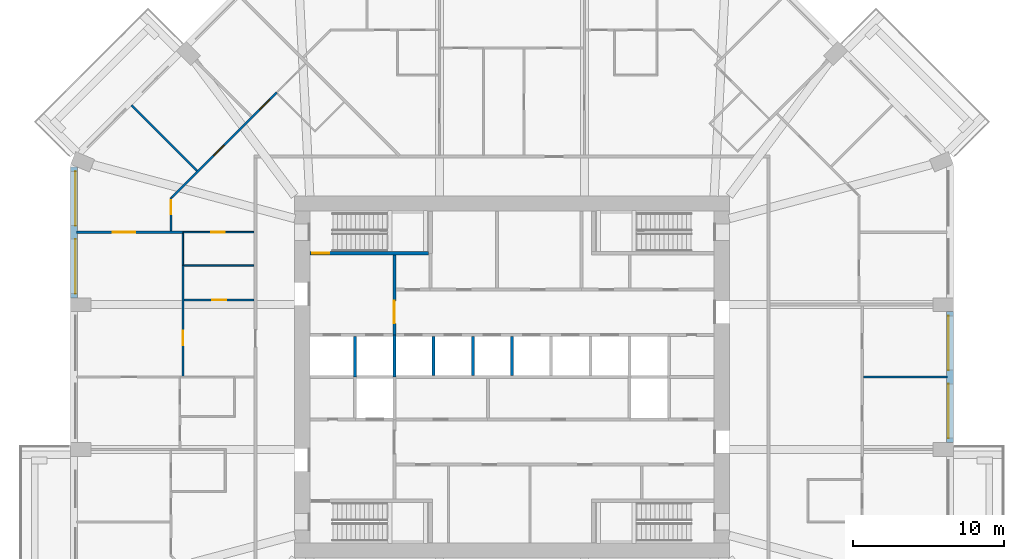
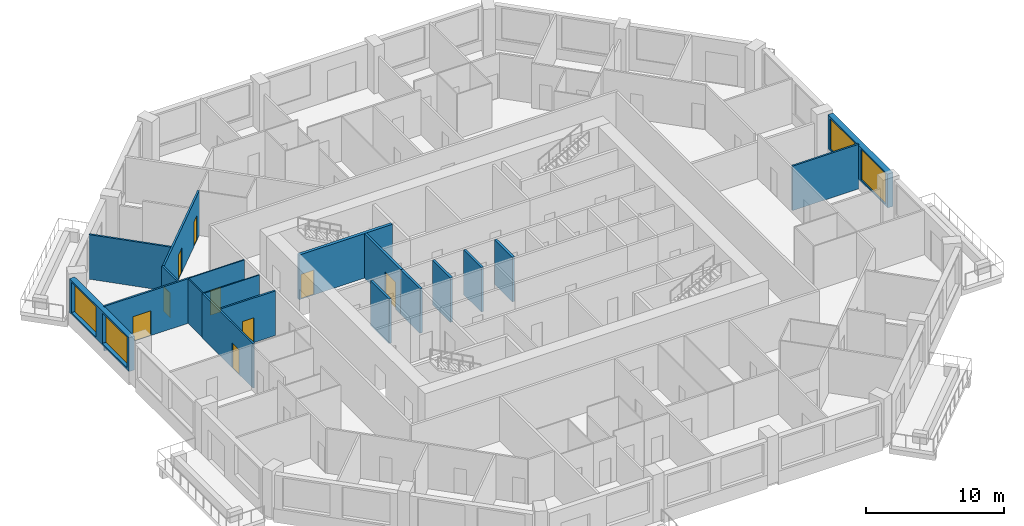
# One storey, part 7 of 13: 19 walls, 9 doors, 4 windows, 13 openings.
"""IFC4 building model written with IfcOpenShell, lengths in metres."""

from ifc_helpers import new_model, si_unit, direction, frame, frame_2d, origin, place, context, subcontext, project, spatial, rectangle, extrude, material, layer, layer_set, type_object, element, fill, save


model = new_model("IFC4")

# Units and contexts
model_context = context("Model", 3, precision=1e-05, world=origin(), true_north=direction((0.0, 1.0)))
body_context = subcontext(model_context, "Body", "Model", "MODEL_VIEW")
ifc_project = project(units=[si_unit("LENGTHUNIT", "METRE"), si_unit("AREAUNIT", "SQUARE_METRE"), si_unit("VOLUMEUNIT", "CUBIC_METRE"), si_unit("PLANEANGLEUNIT", "RADIAN"), si_unit("MASSUNIT", "GRAM", prefix="KILO")], contexts=[model_context])

# Site, building, storey
site_placement = place(None, origin())
site = spatial("IfcSite", under=ifc_project, at=site_placement, CompositionType="ELEMENT")
building_placement = place(site_placement, origin())
building = spatial("IfcBuilding", under=site, at=building_placement, Name="Msitu Wima Residences", CompositionType="ELEMENT")
storey_placement = place(building_placement, frame((0.0, 0.0, 80.10009765625)))
storey = spatial("IfcBuildingStorey", under=building, at=storey_placement, Name="L18", CompositionType="ELEMENT", Elevation=80.10009765625)

# Wall, openings, windows
ifc_material_1 = material(Name="Brick (red buff mix)", Category="masonry")
ifc_layer_1 = layer(ifc_material_1, 0.449951171875)
ifc_layer_set_1 = layer_set([ifc_layer_1], Name="Brick (red buff mix)")
wall_type_1 = type_object("IfcWallType", Name="Brick infill wall BW450", PredefinedType="SOLIDWALL", material=ifc_layer_set_1)
wall_1_placement = place(storey_placement, frame((29.02490234375, -4.35009765625, 0.89990234375), z_axis=(0.0, 0.0, 1.0), x_axis=(0.0, 1.0, 0.0)))
wall_1 = element("IfcWall", 1, at=wall_1_placement, inside=storey, type_object=wall_type_1, Name="Brick infill wall L18 E1", PredefinedType="SOLIDWALL", context=body_context, shape_type="SweptSolid", body=[
    extrude(rectangle(XDim=8.7001953125, YDim=0.449951171875, at=frame_2d((4.35009765625, 0.0))), origin(), (0.0, 0.0, 1.0), 3.0),
])
opening_1_placement = place(wall_1_placement, frame((0.300048828125, 0.0, 0.14990234375)))
opening_1 = element("IfcOpeningElement", 2, at=opening_1_placement, cuts=wall_1, Name="Opening W18-20.002", PredefinedType="OPENING", context=body_context, shape_type="SweptSolid", body=[
    extrude(rectangle(XDim=3.60009765625, YDim=2.699951171875, at=frame_2d((1.800048828125, 1.35009765625))), frame((0.0, 0.23486328125, 0.0), z_axis=(0.0, -1.0, 0.0), x_axis=(1.0, 0.0, 0.0)), (0.0, 0.0, 1.0), 0.469970703125),
])
opening_2_placement = place(wall_1_placement, frame((4.800048828125, 0.0, 0.14990234375)))
opening_2 = element("IfcOpeningElement", 3, at=opening_2_placement, cuts=wall_1, Name="Opening W18-20.003", PredefinedType="OPENING", context=body_context, shape_type="SweptSolid", body=[
    extrude(rectangle(XDim=3.60009765625, YDim=2.699951171875, at=frame_2d((1.800048828125, 1.35009765625))), frame((0.0, 0.23486328125, 0.0), z_axis=(0.0, -1.0, 0.0), x_axis=(1.0, 0.0, 0.0)), (0.0, 0.0, 1.0), 0.469970703125),
])
ifc_material_2 = material(Name="Anodised aluminium, bronze finish, clear low-emissivity double glazing", Category="aluminium")
window_type = type_object("IfcWindowType", Name="Window W3600x2700", PartitioningType="DOUBLE_PANEL_VERTICAL", PredefinedType="WINDOW", material=ifc_material_2)
window_1_placement = place(opening_1_placement, origin())
window_1 = element("IfcWindow", 4, at=window_1_placement, inside=storey, type_object=window_type, Name="Window L18 E1.1", OverallHeight=2.699951171875, OverallWidth=3.60009765625, PartitioningType="SINGLE_PANEL", PredefinedType="WINDOW", context=body_context, shape_type="SweptSolid", body=[
    extrude(rectangle(XDim=3.60009765625, YDim=2.699951171875, at=frame_2d((1.800048828125, 1.35009765625))), frame((0.0, 0.135009765625, 0.0), z_axis=(0.0, -1.0, 0.0), x_axis=(1.0, 0.0, 0.0)), (0.0, 0.0, 1.0), 0.06005859375),
])
fill(opening_1, window_1)
window_2_placement = place(opening_2_placement, origin())
window_2 = element("IfcWindow", 5, at=window_2_placement, inside=storey, type_object=window_type, Name="Window L18 E1.2", OverallHeight=2.699951171875, OverallWidth=3.60009765625, PartitioningType="SINGLE_PANEL", PredefinedType="WINDOW", context=body_context, shape_type="SweptSolid", body=[
    extrude(rectangle(XDim=3.60009765625, YDim=2.699951171875, at=frame_2d((1.800048828125, 1.35009765625))), frame((0.0, 0.135009765625, 0.0), z_axis=(0.0, -1.0, 0.0), x_axis=(1.0, 0.0, 0.0)), (0.0, 0.0, 1.0), 0.06005859375),
])
fill(opening_2, window_2)

wall_2_placement = place(storey_placement, frame((-29.02490234375, 13.912841796875, 0.89990234375), z_axis=(0.0, 0.0, 1.0), x_axis=(0.0, -1.0, 0.0)))
wall_2 = element("IfcWall", 6, at=wall_2_placement, inside=storey, type_object=wall_type_1, Name="Brick infill wall L18 W0", PredefinedType="SOLIDWALL", context=body_context, shape_type="SweptSolid", body=[
    extrude(rectangle(XDim=8.662841796875, YDim=0.449951171875, at=frame_2d((4.33154296875, 0.0))), origin(), (0.0, 0.0, 1.0), 3.0),
])
opening_3_placement = place(wall_2_placement, frame((0.281494140625, 0.0, 0.14990234375)))
opening_3 = element("IfcOpeningElement", 7, at=opening_3_placement, cuts=wall_2, Name="Opening W18-20.029", PredefinedType="OPENING", context=body_context, shape_type="SweptSolid", body=[
    extrude(rectangle(XDim=3.60009765625, YDim=2.699951171875, at=frame_2d((1.800048828125, 1.35009765625))), frame((0.0, 0.23486328125, 0.0), z_axis=(0.0, -1.0, 0.0), x_axis=(1.0, 0.0, 0.0)), (0.0, 0.0, 1.0), 0.469970703125),
])
opening_4_placement = place(wall_2_placement, frame((4.781494140625, 0.0, 0.14990234375)))
opening_4 = element("IfcOpeningElement", 8, at=opening_4_placement, cuts=wall_2, Name="Opening W18-20.030", PredefinedType="OPENING", context=body_context, shape_type="SweptSolid", body=[
    extrude(rectangle(XDim=3.60009765625, YDim=2.699951171875, at=frame_2d((1.800048828125, 1.35009765625))), frame((0.0, 0.23486328125, 0.0), z_axis=(0.0, -1.0, 0.0), x_axis=(1.0, 0.0, 0.0)), (0.0, 0.0, 1.0), 0.469970703125),
])
window_3_placement = place(opening_3_placement, origin())
window_3 = element("IfcWindow", 9, at=window_3_placement, inside=storey, type_object=window_type, Name="Window L18 W0.1", OverallHeight=2.699951171875, OverallWidth=3.60009765625, PartitioningType="SINGLE_PANEL", PredefinedType="WINDOW", context=body_context, shape_type="SweptSolid", body=[
    extrude(rectangle(XDim=3.60009765625, YDim=2.699951171875, at=frame_2d((1.800048828125, 1.35009765625))), frame((0.0, 0.135009765625, 0.0), z_axis=(0.0, -1.0, 0.0), x_axis=(1.0, 0.0, 0.0)), (0.0, 0.0, 1.0), 0.06005859375),
])
fill(opening_3, window_3)
window_4_placement = place(opening_4_placement, origin())
window_4 = element("IfcWindow", 10, at=window_4_placement, inside=storey, type_object=window_type, Name="Window L18 W0.2", OverallHeight=2.699951171875, OverallWidth=3.60009765625, PartitioningType="SINGLE_PANEL", PredefinedType="WINDOW", context=body_context, shape_type="SweptSolid", body=[
    extrude(rectangle(XDim=3.60009765625, YDim=2.699951171875, at=frame_2d((1.800048828125, 1.35009765625))), frame((0.0, 0.135009765625, 0.0), z_axis=(0.0, -1.0, 0.0), x_axis=(1.0, 0.0, 0.0)), (0.0, 0.0, 1.0), 0.06005859375),
])
fill(opening_4, window_4)

# Wall, opening, door
ifc_material_3 = material(Name="Plaster")
ifc_layer_2 = layer(ifc_material_3, 0.011962890625, Name="Plaster")
ifc_material_4 = material(Name="Concrete blockwork", Category="masonry")
ifc_layer_3 = layer(ifc_material_4, 0.176025390625, Name="Concrete blockwork")
ifc_layer_4 = layer(ifc_material_3, 0.011962890625, Name="Plaster")
ifc_layer_set_2 = layer_set([ifc_layer_2, ifc_layer_3, ifc_layer_4], Name="Concrete blockwork")
wall_type_2 = type_object("IfcWallType", Name="Corridor wall FW200", PredefinedType="PARTITIONING", material=ifc_layer_set_2)
wall_3_placement = place(storey_placement, frame((-7.800048828125, 2.800048828125, 0.0), z_axis=(0.0, 0.0, 1.0), x_axis=(0.0, 1.0, 0.0)))
wall_3 = element("IfcWall", 11, at=wall_3_placement, inside=storey, type_object=wall_type_2, Name="Corridor wall", PredefinedType="PARTITIONING", context=body_context, shape_type="SweptSolid", body=[
    extrude(rectangle(XDim=5.27490234375, YDim=0.199951171875, at=frame_2d((2.637451171875, 0.0))), origin(), (0.0, 0.0, 1.0), 3.949951171875),
])
opening_5_placement = place(wall_3_placement, frame((0.75, 0.0, 0.0)))
opening_5 = element("IfcOpeningElement", 12, at=opening_5_placement, cuts=wall_3, Name="Opening D18-20.013", PredefinedType="OPENING", context=body_context, shape_type="SweptSolid", body=[
    extrude(rectangle(XDim=1.5, YDim=2.39990234375, at=frame_2d((0.75, 1.199951171875))), frame((0.0, 0.10986328125, 0.0), z_axis=(0.0, -1.0, 0.0), x_axis=(1.0, 0.0, 0.0)), (0.0, 0.0, 1.0), 0.219970703125),
])
ifc_material_5 = material(Name="Steel framed glazed door, fire resisting", Category="steel")
door_type_1 = type_object("IfcDoorType", Name="Lobby door D07 1500x2400", OperationType="DOUBLE_DOOR_SINGLE_SWING", PredefinedType="DOOR", material=ifc_material_5)
door_1_placement = place(opening_5_placement, origin())
door_1 = element("IfcDoor", 13, at=door_1_placement, inside=storey, type_object=door_type_1, Name="Lobby door", OperationType="DOUBLE_DOOR_SINGLE_SWING", OverallHeight=2.39990234375, OverallWidth=1.5, PredefinedType="DOOR", context=body_context, shape_type="SweptSolid", body=[
    extrude(rectangle(XDim=1.5, YDim=2.39990234375, at=frame_2d((0.75, 1.199951171875))), frame((0.0, 0.02490234375, 0.0), z_axis=(0.0, -1.0, 0.0), x_axis=(1.0, 0.0, 0.0)), (0.0, 0.0, 1.0), 0.050048828125),
])
fill(opening_5, door_1)

ifc_layer_5 = layer(ifc_material_3, 0.011962890625, Name="Plaster")
ifc_layer_6 = layer(ifc_material_4, 0.1259765625, Name="Concrete blockwork")
ifc_layer_7 = layer(ifc_material_3, 0.011962890625, Name="Plaster")
ifc_layer_set_3 = layer_set([ifc_layer_5, ifc_layer_6, ifc_layer_7], Name="Concrete blockwork")
wall_type_3 = type_object("IfcWallType", Name="Partition PW150", PredefinedType="PARTITIONING", material=ifc_layer_set_3)
wall_4_placement = place(storey_placement, frame((-28.85498046875, 9.60009765625, 0.0), z_axis=(0.0, 0.0, 1.0), x_axis=(1.0, 0.0, 0.0)))
wall_4 = element("IfcWall", 14, at=wall_4_placement, inside=storey, type_object=wall_type_3, Name="Partition", PredefinedType="PARTITIONING", context=body_context, shape_type="SweptSolid", body=[
    extrude(rectangle(XDim=7.074951171875, YDim=0.14990234375, at=frame_2d((3.53759765625, 0.0))), origin(), (0.0, 0.0, 1.0), 3.949951171875),
])
opening_6_placement = place(wall_4_placement, frame((2.39990234375, 0.0, 0.0)))
opening_6 = element("IfcOpeningElement", 15, at=opening_6_placement, cuts=wall_4, Name="Opening D18-20.047", PredefinedType="OPENING", context=body_context, shape_type="SweptSolid", body=[
    extrude(rectangle(XDim=1.5, YDim=2.199951171875, at=frame_2d((0.75, 1.10009765625))), frame((0.0, 0.0849609375, 0.0), z_axis=(0.0, -1.0, 0.0), x_axis=(1.0, 0.0, 0.0)), (0.0, 0.0, 1.0), 0.169921875),
])
ifc_material_6 = material(Name="Timber double door", Category="wood")
door_type_2 = type_object("IfcDoorType", Name="Double door D04 1500x2200", OperationType="DOUBLE_DOOR_SINGLE_SWING", PredefinedType="DOOR", material=ifc_material_6)
door_2_placement = place(opening_6_placement, origin())
door_2 = element("IfcDoor", 16, at=door_2_placement, inside=storey, type_object=door_type_2, Name="Double door", OperationType="DOUBLE_DOOR_SINGLE_SWING", OverallHeight=2.199951171875, OverallWidth=1.5, PredefinedType="DOOR", context=body_context, shape_type="SweptSolid", body=[
    extrude(rectangle(XDim=1.5, YDim=2.199951171875, at=frame_2d((0.75, 1.10009765625))), frame((0.0, 0.02490234375, 0.0), z_axis=(0.0, -1.0, 0.0), x_axis=(1.0, 0.0, 0.0)), (0.0, 0.0, 1.0), 0.050048828125),
])
fill(opening_6, door_2)

# Wall
wall_5_placement = place(storey_placement, frame((-25.2177734375, 18.017578125, 0.0), z_axis=(0.0, 0.0, 1.0), x_axis=(0.707126629519, -0.707086932297, 0.0)))
element("IfcWall", 17, at=wall_5_placement, inside=storey, type_object=wall_type_3, Name="Partition", PredefinedType="PARTITIONING", context=body_context, shape_type="SweptSolid", body=[
    extrude(rectangle(XDim=6.150146484375, YDim=0.14990234375, at=frame_2d((3.0751953125, 0.0))), origin(), (0.0, 0.0, 1.0), 3.949951171875),
])

# Wall, opening, door
wall_6_placement = place(storey_placement, frame((-22.60009765625, 9.675048828125, 0.0), z_axis=(0.0, 0.0, 1.0), x_axis=(0.0, 1.0, 0.0)))
wall_6 = element("IfcWall", 18, at=wall_6_placement, inside=storey, type_object=wall_type_3, Name="Partition", PredefinedType="PARTITIONING", context=body_context, shape_type="SweptSolid", body=[
    extrude(rectangle(XDim=2.23193359375, YDim=0.14990234375, at=frame_2d((1.115966796875, 0.0))), origin(), (0.0, 0.0, 1.0), 3.949951171875),
])
opening_7_placement = place(wall_6_placement, frame((1.10009765625, 0.0, 0.0)))
opening_7 = element("IfcOpeningElement", 19, at=opening_7_placement, cuts=wall_6, Name="Opening D18-20.049", PredefinedType="OPENING", context=body_context, shape_type="SweptSolid", body=[
    extrude(rectangle(XDim=0.949951171875, YDim=2.199951171875, at=frame_2d((0.47509765625, 1.10009765625))), frame((0.0, 0.0849609375, 0.0), z_axis=(0.0, -1.0, 0.0), x_axis=(1.0, 0.0, 0.0)), (0.0, 0.0, 1.0), 0.169921875),
])
ifc_material_7 = material(Name="Timber flush door", Category="wood")
door_type_3 = type_object("IfcDoorType", Name="Room door D12 950x2200", OperationType="SINGLE_SWING_LEFT", PredefinedType="DOOR", material=ifc_material_7)
door_3_placement = place(opening_7_placement, origin())
door_3 = element("IfcDoor", 20, at=door_3_placement, inside=storey, type_object=door_type_3, Name="Room door", OperationType="SINGLE_SWING_LEFT", OverallHeight=2.199951171875, OverallWidth=0.949951171875, PredefinedType="DOOR", context=body_context, shape_type="SweptSolid", body=[
    extrude(rectangle(XDim=0.949951171875, YDim=2.199951171875, at=frame_2d((0.47509765625, 1.10009765625))), frame((0.0, 0.02490234375, 0.0), z_axis=(0.0, -1.0, 0.0), x_axis=(1.0, 0.0, 0.0)), (0.0, 0.0, 1.0), 0.050048828125),
])
fill(opening_7, door_3)

# Wall, openings, doors
wall_7_placement = place(storey_placement, frame((-22.546875, 11.885009765625, 0.0), z_axis=(0.0, 0.0, 1.0), x_axis=(0.707106781187, 0.707106781187, 0.0)))
wall_7 = element("IfcWall", 21, at=wall_7_placement, inside=storey, type_object=wall_type_3, Name="Partition", PredefinedType="PARTITIONING", context=body_context, shape_type="SweptSolid", body=[
    extrude(rectangle(XDim=9.85009765625, YDim=0.14990234375, at=frame_2d((4.925048828125, 0.0))), origin(), (0.0, 0.0, 1.0), 3.949951171875),
])
opening_8_placement = place(wall_7_placement, frame((3.949951171875, 0.0, 0.0)))
opening_8 = element("IfcOpeningElement", 22, at=opening_8_placement, cuts=wall_7, Name="Opening D18-20.050", PredefinedType="OPENING", context=body_context, shape_type="SweptSolid", body=[
    extrude(rectangle(XDim=0.949951171875, YDim=2.199951171875, at=frame_2d((0.47509765625, 1.10009765625))), frame((0.0, 0.0849609375, 0.0), z_axis=(0.0, -1.0, 0.0), x_axis=(1.0, 0.0, 0.0)), (0.0, 0.0, 1.0), 0.169921875),
])
opening_9_placement = place(wall_7_placement, frame((8.25, 0.0, 0.0)))
opening_9 = element("IfcOpeningElement", 23, at=opening_9_placement, cuts=wall_7, Name="Opening D18-20.051", PredefinedType="OPENING", context=body_context, shape_type="SweptSolid", body=[
    extrude(rectangle(XDim=0.949951171875, YDim=2.199951171875, at=frame_2d((0.47509765625, 1.10009765625))), frame((0.0, 0.0849609375, 0.0), z_axis=(0.0, -1.0, 0.0), x_axis=(1.0, 0.0, 0.0)), (0.0, 0.0, 1.0), 0.169921875),
])
door_4_placement = place(opening_8_placement, origin())
door_4 = element("IfcDoor", 24, at=door_4_placement, inside=storey, type_object=door_type_3, Name="Room door", OperationType="SINGLE_SWING_LEFT", OverallHeight=2.199951171875, OverallWidth=0.949951171875, PredefinedType="DOOR", context=body_context, shape_type="SweptSolid", body=[
    extrude(rectangle(XDim=0.949951171875, YDim=2.199951171875, at=frame_2d((0.47509765625, 1.10009765625))), frame((0.0, 0.02490234375, 0.0), z_axis=(0.0, -1.0, 0.0), x_axis=(1.0, 0.0, 0.0)), (0.0, 0.0, 1.0), 0.050048828125),
])
fill(opening_8, door_4)
door_5_placement = place(opening_9_placement, origin())
door_5 = element("IfcDoor", 25, at=door_5_placement, inside=storey, type_object=door_type_3, Name="Room door", OperationType="SINGLE_SWING_LEFT", OverallHeight=2.199951171875, OverallWidth=0.949951171875, PredefinedType="DOOR", context=body_context, shape_type="SweptSolid", body=[
    extrude(rectangle(XDim=0.949951171875, YDim=2.199951171875, at=frame_2d((0.47509765625, 1.10009765625))), frame((0.0, 0.02490234375, 0.0), z_axis=(0.0, -1.0, 0.0), x_axis=(1.0, 0.0, 0.0)), (0.0, 0.0, 1.0), 0.050048828125),
])
fill(opening_9, door_5)

# Wall, opening, door
wall_8_placement = place(storey_placement, frame((-21.800048828125, 0.050048828125, 0.0), z_axis=(0.0, 0.0, 1.0), x_axis=(0.0, 1.0, 0.0)))
wall_8 = element("IfcWall", 26, at=wall_8_placement, inside=storey, type_object=wall_type_3, Name="Partition", PredefinedType="PARTITIONING", context=body_context, shape_type="SweptSolid", body=[
    extrude(rectangle(XDim=7.369873046875, YDim=0.14990234375, at=frame_2d((3.68505859375, 0.0))), origin(), (0.0, 0.0, 1.0), 3.949951171875),
])
opening_10_placement = place(wall_8_placement, frame((2.050048828125, 0.0, 0.0)))
opening_10 = element("IfcOpeningElement", 27, at=opening_10_placement, cuts=wall_8, Name="Opening D18-20.045", PredefinedType="OPENING", context=body_context, shape_type="SweptSolid", body=[
    extrude(rectangle(XDim=0.949951171875, YDim=2.199951171875, at=frame_2d((0.47509765625, 1.10009765625))), frame((0.0, 0.0849609375, 0.0), z_axis=(0.0, -1.0, 0.0), x_axis=(1.0, 0.0, 0.0)), (0.0, 0.0, 1.0), 0.169921875),
])
door_6_placement = place(opening_10_placement, origin())
door_6 = element("IfcDoor", 28, at=door_6_placement, inside=storey, type_object=door_type_3, Name="Room door", OperationType="SINGLE_SWING_LEFT", OverallHeight=2.199951171875, OverallWidth=0.949951171875, PredefinedType="DOOR", context=body_context, shape_type="SweptSolid", body=[
    extrude(rectangle(XDim=0.949951171875, YDim=2.199951171875, at=frame_2d((0.47509765625, 1.10009765625))), frame((0.0, 0.02490234375, 0.0), z_axis=(0.0, -1.0, 0.0), x_axis=(1.0, 0.0, 0.0)), (0.0, 0.0, 1.0), 0.050048828125),
])
fill(opening_10, door_6)

wall_9_placement = place(storey_placement, frame((-21.72509765625, 5.10009765625, 0.0), z_axis=(0.0, 0.0, 1.0), x_axis=(1.0, 0.0, 0.0)))
wall_9 = element("IfcWall", 29, at=wall_9_placement, inside=storey, type_object=wall_type_3, Name="Partition", PredefinedType="PARTITIONING", context=body_context, shape_type="SweptSolid", body=[
    extrude(rectangle(XDim=4.625, YDim=0.14990234375, at=frame_2d((2.3125, 0.0))), origin(), (0.0, 0.0, 1.0), 3.949951171875),
])
opening_11_placement = place(wall_9_placement, frame((1.85009765625, 0.0, 0.0)))
opening_11 = element("IfcOpeningElement", 30, at=opening_11_placement, cuts=wall_9, Name="Opening D18-20.046", PredefinedType="OPENING", context=body_context, shape_type="SweptSolid", body=[
    extrude(rectangle(XDim=0.949951171875, YDim=2.199951171875, at=frame_2d((0.47509765625, 1.10009765625))), frame((0.0, 0.0849609375, 0.0), z_axis=(0.0, -1.0, 0.0), x_axis=(1.0, 0.0, 0.0)), (0.0, 0.0, 1.0), 0.169921875),
])
door_7_placement = place(opening_11_placement, origin())
door_7 = element("IfcDoor", 31, at=door_7_placement, inside=storey, type_object=door_type_3, Name="Room door", OperationType="SINGLE_SWING_RIGHT", OverallHeight=2.199951171875, OverallWidth=0.949951171875, PredefinedType="DOOR", context=body_context, shape_type="SweptSolid", body=[
    extrude(rectangle(XDim=0.949951171875, YDim=2.199951171875, at=frame_2d((0.47509765625, 1.10009765625))), frame((0.0, 0.02490234375, 0.0), z_axis=(0.0, -1.0, 0.0), x_axis=(1.0, 0.0, 0.0)), (0.0, 0.0, 1.0), 0.050048828125),
])
fill(opening_11, door_7)

# Walls
wall_10_placement = place(storey_placement, frame((23.27490234375, 0.0, 0.0), z_axis=(0.0, 0.0, 1.0), x_axis=(1.0, 0.0, 0.0)))
element("IfcWall", 32, at=wall_10_placement, inside=storey, type_object=wall_type_3, Name="Partition", PredefinedType="PARTITIONING", context=body_context, shape_type="SweptSolid", body=[
    extrude(rectangle(XDim=5.580078125, YDim=0.14990234375, at=frame_2d((2.7900390625, 0.0))), origin(), (0.0, 0.0, 1.0), 3.949951171875),
])
ifc_material_8 = material(Name="Fire-rated board")
ifc_layer_8 = layer(ifc_material_8, 0.02490234375, Name="Fire-rated board")
ifc_material_9 = material(Name="Light-gauge stud framing with mineral wool")
ifc_layer_9 = layer(ifc_material_9, 0.14990234375, Name="Light-gauge stud framing with mineral wool")
ifc_layer_10 = layer(ifc_material_8, 0.02490234375, Name="Fire-rated board")
ifc_layer_set_4 = layer_set([ifc_layer_8, ifc_layer_9, ifc_layer_10], Name="Light-gauge stud framing with mineral wool")
wall_type_4 = type_object("IfcWallType", Name="Shaft wall SH200", PredefinedType="PARTITIONING", material=ifc_layer_set_4)
wall_11_placement = place(storey_placement, frame((-10.39990234375, 0.0, 0.0), z_axis=(0.0, 0.0, 1.0), x_axis=(0.0, 1.0, 0.0)))
element("IfcWall", 33, at=wall_11_placement, inside=storey, type_object=wall_type_4, Name="Shaft wall", PredefinedType="PARTITIONING", context=body_context, shape_type="SweptSolid", body=[
    extrude(rectangle(XDim=2.699951171875, YDim=0.199951171875, at=frame_2d((1.35009765625, 0.0))), origin(), (0.0, 0.0, 1.0), 3.949951171875),
])
wall_12_placement = place(storey_placement, frame((-7.800048828125, 0.0, 0.0), z_axis=(0.0, 0.0, 1.0), x_axis=(0.0, 1.0, 0.0)))
element("IfcWall", 34, at=wall_12_placement, inside=storey, type_object=wall_type_4, Name="Shaft wall", PredefinedType="PARTITIONING", context=body_context, shape_type="SweptSolid", body=[
    extrude(rectangle(XDim=2.800048828125, YDim=0.199951171875, at=frame_2d((1.39990234375, 0.0))), origin(), (0.0, 0.0, 1.0), 3.949951171875),
])
for number, where, z_axis, x_axis, name in (
    (35, (-5.199951171875, 0.10009765625, 0.0), (0.0, 0.0, 1.0), (0.0, 1.0, 0.0), "Shaft wall"),
    (36, (-2.60009765625, 0.10009765625, 0.0), (0.0, 0.0, 1.0), (0.0, 1.0, 0.0), "Shaft wall"),
    (37, (0.0, 0.10009765625, 0.0), (0.0, 0.0, 1.0), (0.0, 1.0, 0.0), "Shaft wall"),
):
    element("IfcWall", number, at=place(storey_placement, frame(where, z_axis=z_axis, x_axis=x_axis)), inside=storey, type_object=wall_type_4, Name=name, PredefinedType="PARTITIONING", context=body_context, shape_type="SweptSolid", body=[
        extrude(rectangle(XDim=2.599853515625, YDim=0.199951171875, at=frame_2d((1.2998046875, 0.0))), origin(), (0.0, 0.0, 1.0), 3.949951171875),
    ])

# Wall, opening, door
ifc_material_10 = material(Name="Concrete C50/60", Category="concrete")
ifc_layer_11 = layer(ifc_material_10, 0.25)
ifc_layer_set_5 = layer_set([ifc_layer_11], Name="Concrete C50/60")
wall_type_5 = type_object("IfcWallType", Name="Stair enclosure wall SW250", PredefinedType="SHEAR", material=ifc_layer_set_5)
wall_13_placement = place(storey_placement, frame((-13.3701171875, 8.199951171875, 0.0), z_axis=(0.0, 0.0, 1.0), x_axis=(1.0, 0.0, 0.0)))
wall_13 = element("IfcWall", 38, at=wall_13_placement, inside=storey, type_object=wall_type_5, Name="Stair enclosure wall", PredefinedType="SHEAR", context=body_context, shape_type="SweptSolid", body=[
    extrude(rectangle(XDim=7.84521484375, YDim=0.25, at=frame_2d((3.922607421875, 0.0))), origin(), (0.0, 0.0, 1.0), 3.949951171875),
])
opening_12_placement = place(wall_13_placement, frame((0.14990234375, 0.0, 0.0)))
opening_12 = element("IfcOpeningElement", 39, at=opening_12_placement, cuts=wall_13, Name="Opening D18-20.032", PredefinedType="OPENING", context=body_context, shape_type="SweptSolid", body=[
    extrude(rectangle(XDim=1.10009765625, YDim=2.199951171875, at=frame_2d((0.550048828125, 1.10009765625))), frame((0.0, 0.135009765625, 0.0), z_axis=(0.0, -1.0, 0.0), x_axis=(1.0, 0.0, 0.0)), (0.0, 0.0, 1.0), 0.27001953125),
])
ifc_material_11 = material(Name="Steel door, fire resisting, panic bar", Category="steel")
door_type_4 = type_object("IfcDoorType", Name="Stair door D06 1100x2200", OperationType="SINGLE_SWING_LEFT", PredefinedType="DOOR", material=ifc_material_11)
door_8_placement = place(opening_12_placement, origin())
door_8 = element("IfcDoor", 40, at=door_8_placement, inside=storey, type_object=door_type_4, Name="Stair door", OperationType="SINGLE_SWING_LEFT", OverallHeight=2.199951171875, OverallWidth=1.10009765625, PredefinedType="DOOR", context=body_context, shape_type="SweptSolid", body=[
    extrude(rectangle(XDim=1.10009765625, YDim=2.199951171875, at=frame_2d((0.550048828125, 1.10009765625))), frame((0.0, 0.02490234375, 0.0), z_axis=(0.0, -1.0, 0.0), x_axis=(1.0, 0.0, 0.0)), (0.0, 0.0, 1.0), 0.050048828125),
])
fill(opening_12, door_8)

ifc_material_12 = material(Name="Ceramic tiles")
ifc_layer_12 = layer(ifc_material_12, 0.008056640625, Name="Ceramic tiles")
ifc_material_13 = material(Name="Moisture-resistant board")
ifc_layer_13 = layer(ifc_material_13, 0.012451171875, Name="Moisture-resistant board")
ifc_layer_14 = layer(ifc_material_9, 0.06689453125, Name="Light-gauge stud framing with mineral wool")
ifc_layer_15 = layer(ifc_material_13, 0.012451171875, Name="Moisture-resistant board")
ifc_layer_set_6 = layer_set([ifc_layer_12, ifc_layer_13, ifc_layer_14, ifc_layer_15], Name="Light-gauge stud framing with mineral wool")
wall_type_6 = type_object("IfcWallType", Name="Wet wall PW100", PredefinedType="PARTITIONING", material=ifc_layer_set_6)
wall_14_placement = place(storey_placement, frame((-21.780029296875, 9.60009765625, 0.0), z_axis=(0.0, 0.0, 1.0), x_axis=(1.0, 0.0, 0.0)))
wall_14 = element("IfcWall", 41, at=wall_14_placement, inside=storey, type_object=wall_type_6, Name="Wet wall", PredefinedType="PARTITIONING", context=body_context, shape_type="SweptSolid", body=[
    extrude(rectangle(XDim=4.679931640625, YDim=0.10009765625, at=frame_2d((2.33984375, 0.0))), origin(), (0.0, 0.0, 1.0), 3.949951171875),
])
opening_13_placement = place(wall_14_placement, frame((1.85009765625, 0.0, 0.0)))
opening_13 = element("IfcOpeningElement", 42, at=opening_13_placement, cuts=wall_14, Name="Opening D18-20.053", PredefinedType="OPENING", context=body_context, shape_type="SweptSolid", body=[
    extrude(rectangle(XDim=0.89990234375, YDim=2.199951171875, at=frame_2d((0.449951171875, 1.10009765625))), frame((0.0, 0.06005859375, 0.0), z_axis=(0.0, -1.0, 0.0), x_axis=(1.0, 0.0, 0.0)), (0.0, 0.0, 1.0), 0.1201171875),
])
ifc_material_14 = material(Name="Timber flush door, moisture resistant", Category="wood")
door_type_5 = type_object("IfcDoorType", Name="Bathroom door D03 900x2200", OperationType="SINGLE_SWING_LEFT", PredefinedType="DOOR", material=ifc_material_14)
door_9_placement = place(opening_13_placement, origin())
door_9 = element("IfcDoor", 43, at=door_9_placement, inside=storey, type_object=door_type_5, Name="Bathroom door", OperationType="SINGLE_SWING_RIGHT", OverallHeight=2.199951171875, OverallWidth=0.89990234375, PredefinedType="DOOR", context=body_context, shape_type="SweptSolid", body=[
    extrude(rectangle(XDim=0.89990234375, YDim=2.199951171875, at=frame_2d((0.449951171875, 1.10009765625))), frame((0.0, 0.02490234375, 0.0), z_axis=(0.0, -1.0, 0.0), x_axis=(1.0, 0.0, 0.0)), (0.0, 0.0, 1.0), 0.050048828125),
])
fill(opening_13, door_9)

# Walls
wall_15_placement = place(storey_placement, frame((-21.800048828125, 7.419921875, 0.0), z_axis=(0.0, 0.0, 1.0), x_axis=(0.0, 1.0, 0.0)))
element("IfcWall", 44, at=wall_15_placement, inside=storey, type_object=wall_type_6, Name="Wet wall", PredefinedType="PARTITIONING", context=body_context, shape_type="SweptSolid", body=[
    extrude(rectangle(XDim=2.10498046875, YDim=0.10009765625, at=frame_2d((1.052490234375, 0.0))), origin(), (0.0, 0.0, 1.0), 3.949951171875),
])
wall_16_placement = place(storey_placement, frame((-21.72509765625, 7.39990234375, 0.0), z_axis=(0.0, 0.0, 1.0), x_axis=(1.0, 0.0, 0.0)))
element("IfcWall", 45, at=wall_16_placement, inside=storey, type_object=wall_type_6, Name="Wet wall", PredefinedType="PARTITIONING", context=body_context, shape_type="SweptSolid", body=[
    extrude(rectangle(XDim=4.625, YDim=0.10009765625, at=frame_2d((2.3125, 0.0))), origin(), (0.0, 0.0, 1.0), 3.949951171875),
])

save(model, "model.ifc")
